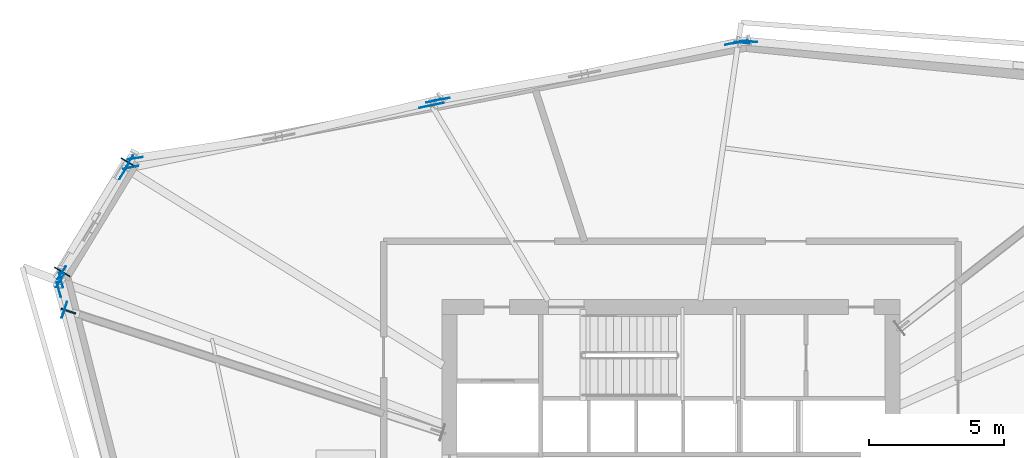
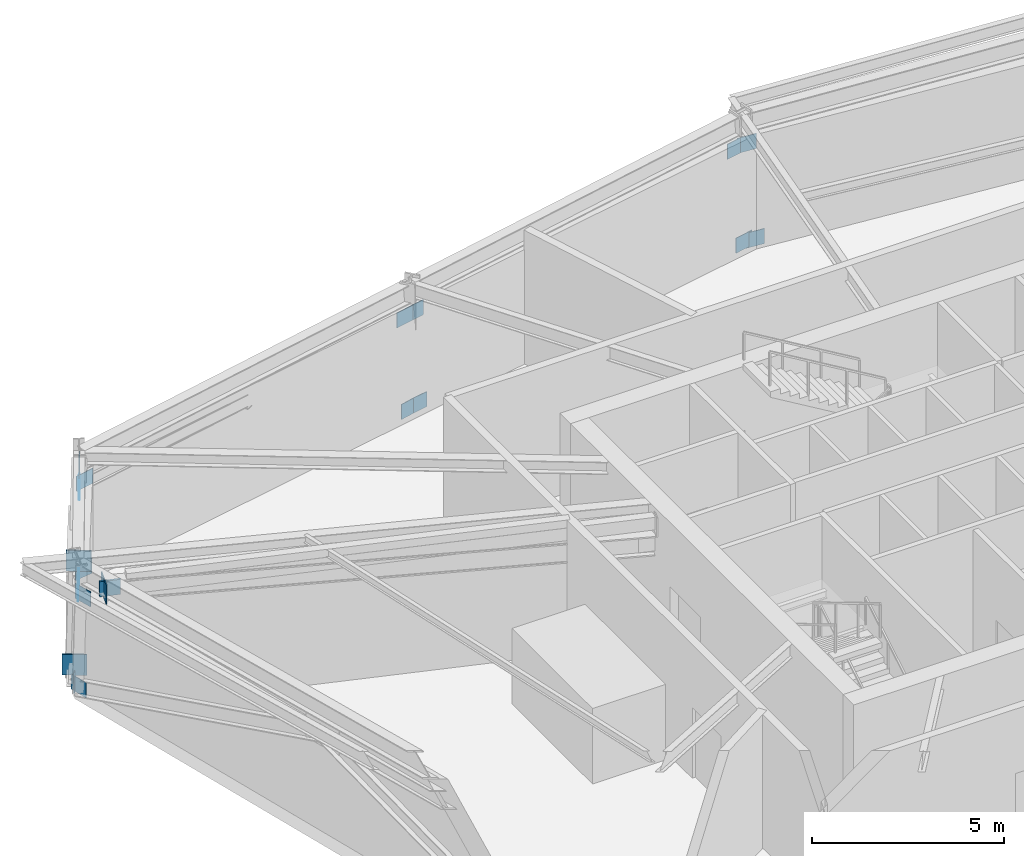
# One storey, part 7 of 14: 22 plates.
"""IFC4 building model written with IfcOpenShell, lengths in metres."""

from ifc_helpers import new_model, si_unit, direction, frame, origin, origin_2d, place, context, subcontext, project, spatial, rectangle, extrude, source, transform, mapped, material, type_object, element, save


model = new_model("IFC4")

# Units and contexts
model_context = context("Model", 3, precision=1e-05, world=origin(), true_north=direction((0.0, 1.0)))
body_context = subcontext(model_context, "Body", "Model", "MODEL_VIEW")
ifc_project = project(units=[si_unit("LENGTHUNIT", "METRE"), si_unit("AREAUNIT", "SQUARE_METRE"), si_unit("VOLUMEUNIT", "CUBIC_METRE"), si_unit("PLANEANGLEUNIT", "RADIAN"), si_unit("MASSUNIT", "GRAM", prefix="KILO")], contexts=[model_context])

# Site, building, storey
site_placement = place(None, origin())
site = spatial("IfcSite", under=ifc_project, at=site_placement, CompositionType="ELEMENT")
building_placement = place(site_placement, origin())
building = spatial("IfcBuilding", under=site, at=building_placement, Name="Olszyna Solenne Hotel", CompositionType="ELEMENT")
storey_placement = place(building_placement, frame((0.0, 0.0, 142.10009765625)))
storey = spatial("IfcBuildingStorey", under=building, at=storey_placement, Name="L37", CompositionType="ELEMENT", Elevation=142.10009765625)

# Plates
ifc_material_1 = material(Name="Steel S460M", Category="steel")
plate_type_1 = type_object("IfcPlateType", Name="GP-CAP2", PredefinedType="USERDEFINED", material=ifc_material_1)
shared_shape_1 = source(origin(), body_context, "Body", "SweptSolid", [
    extrude(rectangle(XDim=0.030029296875, YDim=0.6201171875, at=origin_2d()), origin(), (0.0, 0.0, 1.0), 0.6201171875),
])
plate_1_placement = place(storey_placement, frame((15.619384765625, 33.871826171875, 3.48974609375), z_axis=(0.0, 0.0, 1.0), x_axis=(-0.951056516295, 0.309016994375, 0.0)))
element("IfcPlate", 1, at=plate_1_placement, inside=storey, type_object=plate_type_1, Name="Hollow section end-cap plate GP-CAP2 CP-OC-OC-L37-03-2", ObjectType="GUSSET_PLATE", PredefinedType="USERDEFINED", context=body_context, shape_type="MappedRepresentation", body=[
    mapped(shared_shape_1, transform((0.0, 0.0, 0.0), x_axis=(1.0, 0.0, 0.0), y_axis=(0.0, 1.0, 0.0), z_axis=(0.0, 0.0, 1.0), scale=1.0)),
])
ifc_material_2 = material(Name="Steel S355J2", Category="steel")
plate_type_2 = type_object("IfcPlateType", Name="GP-ND2", PredefinedType="USERDEFINED", material=ifc_material_2)
shared_shape_2 = source(origin(), body_context, "Body", "SweptSolid", [
    extrude(rectangle(XDim=0.56005859375, YDim=0.02001953125, at=origin_2d()), origin(), (0.0, 0.0, 1.0), 0.47998046875),
])
for number, where, z_axis, x_axis, name in (
    (2, (15.50927734375, 35.224609375, -0.139892578125), (0.0, 0.0, 1.0), (0.524134552382, 0.851635468378, 0.0), "Brace end connection gusset plate GP-ND2 EP-BR-L37-2-1"),
    (3, (17.831787109375, 38.998291015625, 3.589599609375), (0.0, 0.0, 1.0), (0.524134552382, 0.851635468378, 0.0), "Brace end connection gusset plate GP-ND2 EP-BR-L37-2-2"),
    (4, (40.63623046875, 43.7294921875, 2.9599609375), (0.0, 0.0, 1.0), (-0.996565502498, 0.082808207512, 0.0), "Brace end connection gusset plate GP-ND2 EP-CH-L37-02-2"),
    (5, (40.905029296875, 43.774169921875, -0.181884765625), (0.0, 0.0, 1.0), (0.996056565222, -0.088720453553, 0.0), "Brace end connection gusset plate GP-ND2 EP-BT-L37-02-2-1"),
    (6, (40.280517578125, 43.7080078125, 2.9599609375), (0.0, 0.0, 1.0), (-0.979399403038, -0.201932685142, 0.0), "Brace end connection gusset plate GP-ND2 EP-CH-L37-03-1"),
    (7, (29.3486328125, 41.453369140625, 2.9599609375), (0.0, 0.0, 1.0), (-0.979399403038, -0.201932685142, 0.0), "Brace end connection gusset plate GP-ND2 EP-CH-L37-03-2"),
    (8, (40.570556640625, 43.7578125, -0.154541015625), (0.0, 0.0, 1.0), (-0.979715389742, -0.200393999665, 0.0), "Brace end connection gusset plate GP-ND2 EP-BT-L37-03-1-1"),
    (9, (29.55908203125, 41.643310546875, -0.149658203125), (0.0, 0.0, 1.0), (0.984472557712, 0.17553855164, 0.0), "Brace end connection gusset plate GP-ND2 EP-BT-L37-03-2-1"),
    (10, (28.99609375, 41.380615234375, 2.9599609375), (0.0, 0.0, 1.0), (-0.979399403038, -0.201932685142, 0.0), "Brace end connection gusset plate GP-ND2 EP-CH-L37-04-1"),
    (11, (18.064208984375, 39.1259765625, 2.9599609375), (0.0, 0.0, 1.0), (-0.979399403038, -0.201932685142, 0.0), "Brace end connection gusset plate GP-ND2 EP-CH-L37-04-2"),
    (12, (29.2412109375, 41.5791015625, -0.154296875), (0.0, 0.0, 1.0), (-0.97409450811, -0.226141303767, 0.0), "Brace end connection gusset plate GP-ND2 EP-BT-L37-04-1-1"),
    (13, (18.229736328125, 39.464111328125, -0.14990234375), (0.0, 0.0, 1.0), (0.989093120613, 0.147291543397, 0.0), "Brace end connection gusset plate GP-ND2 EP-BT-L37-04-2-1"),
    (14, (17.796875, 38.93408203125, 2.9599609375), (0.0, 0.0, 1.0), (-0.506033764121, -0.862513669207, 0.0), "Brace end connection gusset plate GP-ND2 EP-CH-L37-05-1"),
    (15, (15.456298828125, 34.944580078125, 2.9599609375), (0.0, 0.0, 1.0), (-0.506033764121, -0.862513669207, 0.0), "Brace end connection gusset plate GP-ND2 EP-CH-L37-05-2"),
    (16, (18.003173828125, 39.32373046875, -0.11572265625), (0.0, 0.0, 1.0), (-0.5, -0.866025403784, 0.0), "Brace end connection gusset plate GP-ND2 EP-BT-L37-05-1-1"),
    (17, (15.51611328125, 35.232666015625, -0.103515625), (0.0, 0.0, 1.0), (0.545370705676, 0.838194961444, 0.0), "Brace end connection gusset plate GP-ND2 EP-BT-L37-05-2-1"),
    (18, (15.41259765625, 34.615478515625, 2.9599609375), (0.0, 0.0, 1.0), (0.262694424132, -0.964879080263, 0.0), "Brace end connection gusset plate GP-ND2 EP-CH-L37-06-1"),
    (19, (15.495361328125, 34.96630859375, -0.1748046875), (0.0, 0.0, 1.0), (0.244461291916, -0.969659051809, 0.0), "Brace end connection gusset plate GP-ND2 EP-BT-L37-06-1-1"),
):
    element("IfcPlate", number, at=place(storey_placement, frame(where, z_axis=z_axis, x_axis=x_axis)), inside=storey, type_object=plate_type_2, Name=name, ObjectType="GUSSET_PLATE", PredefinedType="USERDEFINED", context=body_context, shape_type="MappedRepresentation", body=[
        mapped(shared_shape_2, transform((0.0, 0.0, 0.0), x_axis=(1.0, 0.0, 0.0), y_axis=(0.0, 1.0, 0.0), z_axis=(0.0, 0.0, 1.0), scale=1.0)),
    ])
plate_type_3 = type_object("IfcPlateType", Name="GP-ND1", PredefinedType="USERDEFINED", material=ifc_material_1)
shared_shape_3 = source(origin(), body_context, "Body", "SweptSolid", [
    extrude(rectangle(XDim=0.56005859375, YDim=0.06005859375, at=origin_2d()), origin(), (0.0, 0.0, 1.0), 0.47998046875),
])
plate_2_placement = place(storey_placement, frame((15.7666015625, 33.82421875, 3.55322265625), z_axis=(0.0, 0.0, 1.0), x_axis=(-0.951056516295, 0.309016994375, 0.0)))
element("IfcPlate", 20, at=plate_2_placement, inside=storey, type_object=plate_type_3, Name="Brace end connection gusset plate GP-ND1 EP-OU-L37-03-2", ObjectType="GUSSET_PLATE", PredefinedType="USERDEFINED", context=body_context, shape_type="MappedRepresentation", body=[
    mapped(shared_shape_3, transform((0.0, 0.0, 0.0), x_axis=(1.0, 0.0, 0.0), y_axis=(0.0, 1.0, 0.0), z_axis=(0.0, 0.0, 1.0), scale=1.0)),
])
plate_type_4 = type_object("IfcPlateType", Name="GP-CAP1", PredefinedType="USERDEFINED", material=ifc_material_1)
shared_shape_4 = source(origin(), body_context, "Body", "SweptSolid", [
    extrude(rectangle(XDim=0.0400390625, YDim=0.659912109375, at=origin_2d()), origin(), (0.0, 0.0, 1.0), 0.659912109375),
])
for number, where, z_axis, x_axis, name in (
    (21, (17.987548828125, 39.30224609375, 0.2197265625), (0.0, 0.0, 1.0), (-0.51951911188, -0.854458830133, 0.0), "Hollow section end-cap plate GP-CAP1 CP-CTB-CTB-L37-2-1"),
    (22, (15.5361328125, 35.27001953125, 0.2197265625), (0.0, 0.0, 1.0), (-0.51951911188, -0.854458830133, 0.0), "Hollow section end-cap plate GP-CAP1 CP-CTB-CTB-L37-2-2"),
):
    element("IfcPlate", number, at=place(storey_placement, frame(where, z_axis=z_axis, x_axis=x_axis)), inside=storey, type_object=plate_type_4, Name=name, ObjectType="GUSSET_PLATE", PredefinedType="USERDEFINED", context=body_context, shape_type="MappedRepresentation", body=[
        mapped(shared_shape_4, transform((0.0, 0.0, 0.0), x_axis=(1.0, 0.0, 0.0), y_axis=(0.0, 1.0, 0.0), z_axis=(0.0, 0.0, 1.0), scale=1.0)),
    ])

save(model, "model.ifc")
